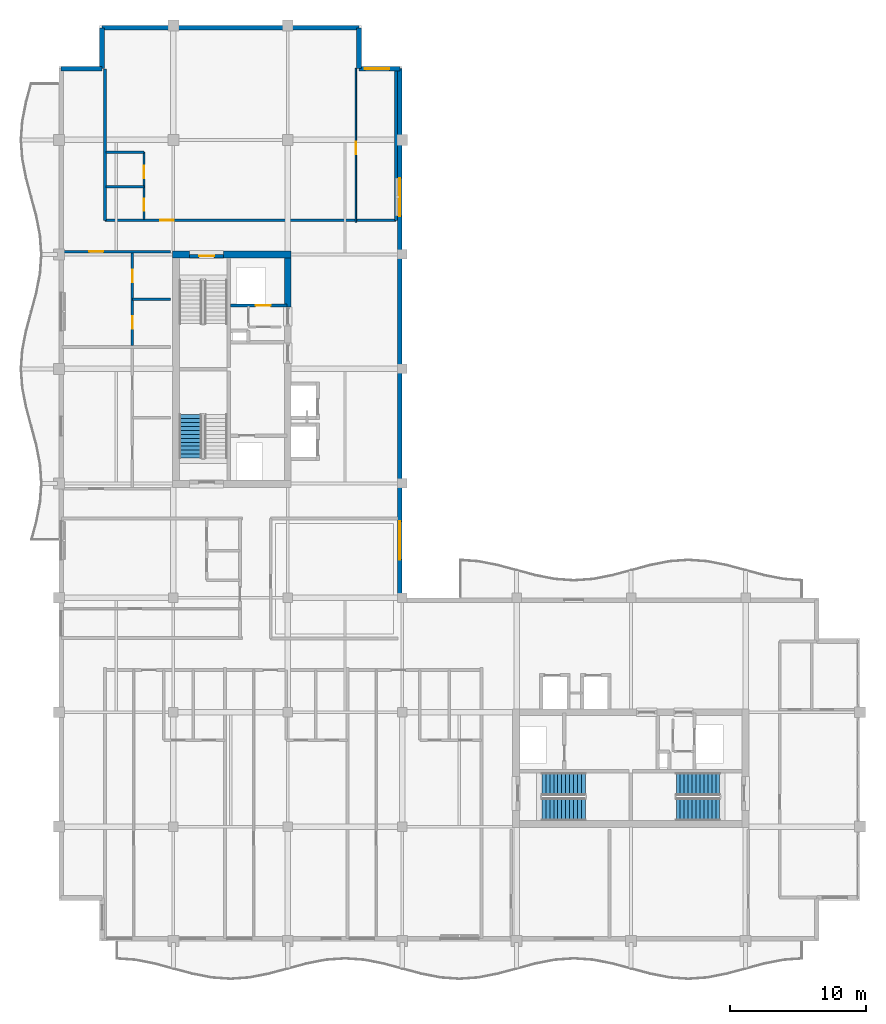
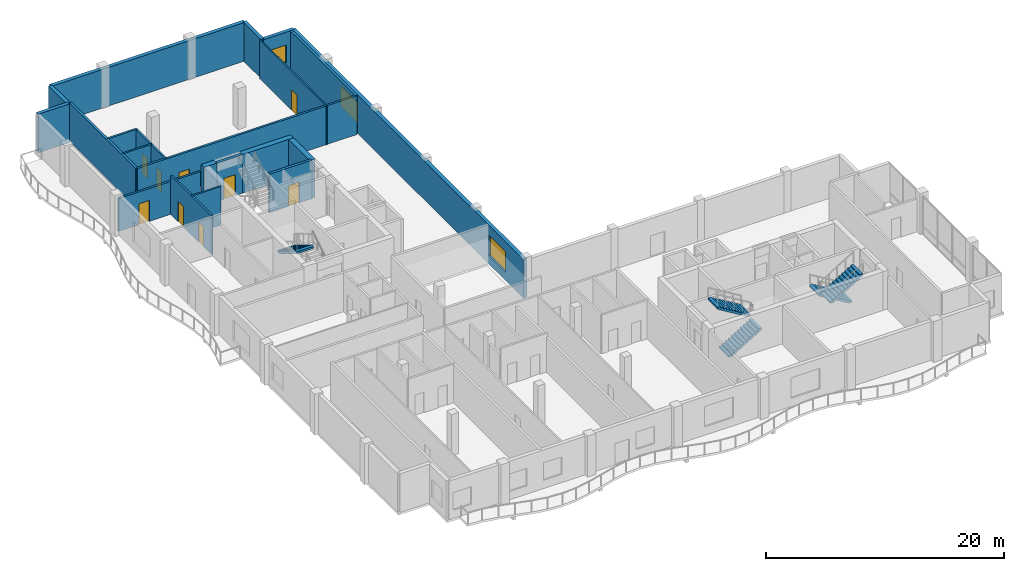
# One storey, part 11 of 16: 21 walls, 9 doors, 5 stair flights, 3 windows, 12 openings, 3 elements without a shape of their own.
"""IFC4 building model written with IfcOpenShell, lengths in metres."""

from ifc_helpers import new_model, si_unit, direction, frame, frame_2d, origin, place, context, subcontext, project, spatial, polyline, rectangle, outline, extrude, material, layer, layer_set, type_object, element, fill, aggregate, save


model = new_model("IFC4")

# Units and contexts
model_context = context("Model", 3, precision=1e-05, world=origin(), true_north=direction((0.0, 1.0)))
body_context = subcontext(model_context, "Body", "Model", "MODEL_VIEW")
ifc_project = project(units=[si_unit("LENGTHUNIT", "METRE"), si_unit("AREAUNIT", "SQUARE_METRE"), si_unit("VOLUMEUNIT", "CUBIC_METRE"), si_unit("PLANEANGLEUNIT", "RADIAN"), si_unit("MASSUNIT", "GRAM", prefix="KILO")], contexts=[model_context])

# Site, building, storey
site_placement = place(None, origin())
site = spatial("IfcSite", under=ifc_project, at=site_placement, CompositionType="ELEMENT")
building_placement = place(site_placement, origin())
building = spatial("IfcBuilding", under=site, at=building_placement, Name="Koriwani Terraces Tower", CompositionType="ELEMENT")
storey_placement = place(building_placement, frame((0.0, 0.0, 355.39990234375)))
storey = spatial("IfcBuildingStorey", under=building, at=storey_placement, Name="L88", CompositionType="ELEMENT", Elevation=355.39990234375)

# Walls
ifc_material_1 = material(Name="Concrete C50/60", Category="concrete")
ifc_layer_1 = layer(ifc_material_1, 0.5, Name="Concrete C50/60")
ifc_layer_set_1 = layer_set([ifc_layer_1], Name="Concrete C50/60")
wall_type_1 = type_object("IfcWallType", Name="WALL_CORE_RC_500", PredefinedType="SHEAR", material=ifc_layer_set_1)
wall_1_placement = place(storey_placement, frame((16.75, 58.800048828125, 0.0), z_axis=(0.0, 0.0, 1.0), x_axis=(1.0, 0.0, 0.0)))
element("IfcWall", 1, at=wall_1_placement, inside=storey, type_object=wall_type_1, Name="L88 West Split Core Shear Wall N1", PredefinedType="SHEAR", context=body_context, shape_type="SweptSolid", body=[
    extrude(rectangle(XDim=1.25, YDim=0.5, at=frame_2d((0.625, 0.0))), origin(), (0.0, 0.0, 1.0), 3.97021484375),
])
wall_2_placement = place(storey_placement, frame((20.5, 58.800048828125, 0.0), z_axis=(0.0, 0.0, 1.0), x_axis=(1.0, 0.0, 0.0)))
element("IfcWall", 2, at=wall_2_placement, inside=storey, type_object=wall_type_1, Name="L88 West Split Core Shear Wall N2", PredefinedType="SHEAR", context=body_context, shape_type="SweptSolid", body=[
    extrude(rectangle(XDim=4.949951171875, YDim=0.5, at=frame_2d((2.47509765625, 0.0))), origin(), (0.0, 0.0, 1.0), 3.97021484375),
])
wall_3_placement = place(storey_placement, frame((25.199951171875, 54.949951171875, 0.0), z_axis=(0.0, 0.0, 1.0), x_axis=(0.0, 1.0, 0.0)))
element("IfcWall", 3, at=wall_3_placement, inside=storey, type_object=wall_type_1, Name="L88 West Split Core Shear Wall E3", PredefinedType="SHEAR", context=body_context, shape_type="SweptSolid", body=[
    extrude(rectangle(XDim=3.60009765625, YDim=0.5, at=frame_2d((1.800048828125, 0.0))), origin(), (0.0, 0.0, 1.0), 3.97021484375),
])

# Wall, opening, door
ifc_material_2 = material(Name="Autoclaved Cellular Concrete Blockwork", Category="masonry")
ifc_layer_2 = layer(ifc_material_2, 0.199951171875, Name="Autoclaved Cellular Concrete Blockwork")
ifc_layer_set_2 = layer_set([ifc_layer_2], Name="Autoclaved Cellular Concrete Blockwork")
wall_type_2 = type_object("IfcWallType", Name="WALL_CORRIDOR_200", PredefinedType="PARTITIONING", material=ifc_layer_set_2)
wall_4_placement = place(storey_placement, frame((8.64990234375, 59.0, 0.0), z_axis=(0.0, 0.0, 1.0), x_axis=(1.0, 0.0, 0.0)))
wall_4 = element("IfcWall", 4, at=wall_4_placement, inside=storey, type_object=wall_type_2, Name="L88 Interior Wall WRZ4-WN-L88", PredefinedType="PARTITIONING", context=body_context, shape_type="SweptSolid", body=[
    extrude(rectangle(XDim=7.9501953125, YDim=0.199951171875, at=frame_2d((3.97509765625, 0.0))), origin(), (0.0, 0.0, 1.0), 3.3701171875),
])
opening_1_placement = place(wall_4_placement, frame((2.0, 0.0, 0.0)))
opening_1 = element("IfcOpeningElement", 5, at=opening_1_placement, cuts=wall_4, Name="Opening D-05", PredefinedType="OPENING", context=body_context, shape_type="SweptSolid", body=[
    extrude(rectangle(XDim=1.0, YDim=2.14990234375, at=frame_2d((0.5, 1.074951171875))), frame((0.0, 0.10986328125, 0.0), z_axis=(0.0, -1.0, 0.0), x_axis=(1.0, 0.0, 0.0)), (0.0, 0.0, 1.0), 0.219970703125),
])
ifc_material_3 = material(Name="Architectural Oak Fire Door", Category="wood")
door_type_1 = type_object("IfcDoorType", Name="DOOR_SUITE_ENTRY_1000X2150", OperationType="NOTDEFINED", PredefinedType="DOOR", material=ifc_material_3)
door_1_placement = place(opening_1_placement, origin())
door_1 = element("IfcDoor", 6, at=door_1_placement, inside=storey, type_object=door_type_1, Name="Apartment 88RW2 Entrance Door", OperationType="SINGLE_SWING_RIGHT", OverallHeight=2.14990234375, OverallWidth=1.0, PredefinedType="DOOR", context=body_context, shape_type="SweptSolid", body=[
    extrude(rectangle(XDim=1.0, YDim=2.14990234375, at=frame_2d((0.5, 1.074951171875))), frame((0.0, 0.02490234375, 0.0), z_axis=(0.0, -1.0, 0.0), x_axis=(1.0, 0.0, 0.0)), (0.0, 0.0, 1.0), 0.050048828125),
])
fill(opening_1, door_1)

wall_5_placement = place(storey_placement, frame((11.800048828125, 61.300048828125, 0.0), z_axis=(0.0, 0.0, 1.0), x_axis=(1.0, 0.0, 0.0)))
wall_5 = element("IfcWall", 7, at=wall_5_placement, inside=storey, type_object=wall_type_2, Name="L88 Interior Wall WGB-L88-NT-S", PredefinedType="PARTITIONING", context=body_context, shape_type="SweptSolid", body=[
    extrude(rectangle(XDim=21.349853515625, YDim=0.199951171875, at=frame_2d((10.6748046875, 0.0))), origin(), (0.0, 0.0, 1.0), 3.97021484375),
])
opening_2_placement = place(wall_5_placement, frame((4.050048828125, 0.0, 0.0)))
opening_2 = element("IfcOpeningElement", 8, at=opening_2_placement, cuts=wall_5, Name="Opening D-05", PredefinedType="OPENING", context=body_context, shape_type="SweptSolid", body=[
    extrude(rectangle(XDim=1.0, YDim=2.14990234375, at=frame_2d((0.5, 1.074951171875))), frame((0.0, 0.10986328125, 0.0), z_axis=(0.0, -1.0, 0.0), x_axis=(1.0, 0.0, 0.0)), (0.0, 0.0, 1.0), 0.219970703125),
])
door_2_placement = place(opening_2_placement, origin())
door_2 = element("IfcDoor", 9, at=door_2_placement, inside=storey, type_object=door_type_1, Name="Penthouse 88NT Entrance Door", OperationType="SINGLE_SWING_LEFT", OverallHeight=2.14990234375, OverallWidth=1.0, PredefinedType="DOOR", context=body_context, shape_type="SweptSolid", body=[
    extrude(rectangle(XDim=1.0, YDim=2.14990234375, at=frame_2d((0.5, 1.074951171875))), frame((0.0, 0.02490234375, 0.0), z_axis=(0.0, -1.0, 0.0), x_axis=(1.0, 0.0, 0.0)), (0.0, 0.0, 1.0), 0.050048828125),
])
fill(opening_2, door_2)

# Walls
ifc_layer_3 = layer(ifc_material_2, 0.219970703125, Name="Autoclaved Cellular Concrete Blockwork")
ifc_layer_set_3 = layer_set([ifc_layer_3], Name="Autoclaved Cellular Concrete Blockwork")
wall_type_3 = type_object("IfcWallType", Name="WALL_DEMISING_220", PredefinedType="PARTITIONING", material=ifc_layer_set_3)
for number, where, z_axis, x_axis, name in (
    (10, (33.14990234375, 61.300048828125, 0.0), (0.0, 0.0, 1.0), (0.0, 1.0, 0.0), "L88 Interior Wall WGB-L88-NT-E"),
    (11, (11.800048828125, 61.300048828125, 0.0), (0.0, 0.0, 1.0), (0.0, 1.0, 0.0), "L88 Interior Wall WGB-L88-NT-W"),
):
    element("IfcWall", number, at=place(storey_placement, frame(where, z_axis=z_axis, x_axis=x_axis)), inside=storey, type_object=wall_type_3, Name=name, PredefinedType="PARTITIONING", context=body_context, shape_type="SweptSolid", body=[
        extrude(rectangle(XDim=11.099853515625, YDim=0.219970703125, at=frame_2d((5.5498046875, 0.0))), origin(), (0.0, 0.0, 1.0), 3.97021484375),
    ])
ifc_layer_4 = layer(ifc_material_1, 0.35009765625, Name="Concrete C50/60")
ifc_layer_set_4 = layer_set([ifc_layer_4], Name="Concrete C50/60")
wall_type_4 = type_object("IfcWallType", Name="WALL_EXT_BRUTALIST_350", PredefinedType="STANDARD", material=ifc_layer_set_4)
for number, where, z_axis, x_axis, name in (
    (12, (8.574951171875, 72.425048828125, 0.0), (0.0, 0.0, 1.0), (1.0, 0.0, 0.0), "L88 Fair-Faced Brutalist Exterior Wall (N3)"),
    (13, (11.574951171875, 72.425048828125, 0.0), (0.0, 0.0, 1.0), (0.0, 1.0, 0.0), "L88 Fair-Faced Brutalist Exterior Wall (N4)"),
):
    element("IfcWall", number, at=place(storey_placement, frame(where, z_axis=z_axis, x_axis=x_axis)), inside=storey, type_object=wall_type_4, Name=name, PredefinedType="STANDARD", context=body_context, shape_type="SweptSolid", body=[
        extrude(rectangle(XDim=3.0, YDim=0.35009765625, at=frame_2d((1.5, 0.0))), origin(), (0.0, 0.0, 1.0), 3.97021484375),
    ])
wall_6_placement = place(storey_placement, frame((11.574951171875, 75.425048828125, 0.0), z_axis=(0.0, 0.0, 1.0), x_axis=(1.0, 0.0, 0.0)))
element("IfcWall", 14, at=wall_6_placement, inside=storey, type_object=wall_type_4, Name="L88 Fair-Faced Brutalist Exterior Wall (N_TIP)", PredefinedType="STANDARD", context=body_context, shape_type="SweptSolid", body=[
    extrude(rectangle(XDim=18.85009765625, YDim=0.35009765625, at=frame_2d((9.425048828125, 0.0))), origin(), (0.0, 0.0, 1.0), 3.97021484375),
])
wall_7_placement = place(storey_placement, frame((30.425048828125, 75.425048828125, 0.0), z_axis=(0.0, 0.0, 1.0), x_axis=(0.0, -1.0, 0.0)))
element("IfcWall", 15, at=wall_7_placement, inside=storey, type_object=wall_type_4, Name="L88 Fair-Faced Brutalist Exterior Wall (N6)", PredefinedType="STANDARD", context=body_context, shape_type="SweptSolid", body=[
    extrude(rectangle(XDim=3.0, YDim=0.35009765625, at=frame_2d((1.5, 0.0))), origin(), (0.0, 0.0, 1.0), 3.97021484375),
])

# Wall, opening, window
wall_8_placement = place(storey_placement, frame((30.425048828125, 72.425048828125, 0.0), z_axis=(0.0, 0.0, 1.0), x_axis=(1.0, 0.0, 0.0)))
wall_8 = element("IfcWall", 16, at=wall_8_placement, inside=storey, type_object=wall_type_4, Name="L88 Fair-Faced Brutalist Exterior Wall (N7)", PredefinedType="STANDARD", context=body_context, shape_type="SweptSolid", body=[
    extrude(rectangle(XDim=3.0, YDim=0.35009765625, at=frame_2d((1.5, 0.0))), origin(), (0.0, 0.0, 1.0), 3.97021484375),
])
opening_3_placement = place(wall_8_placement, frame((0.4375, 0.0, 0.85009765625)))
opening_3 = element("IfcOpeningElement", 17, at=opening_3_placement, cuts=wall_8, Name="Opening W-04", PredefinedType="OPENING", context=body_context, shape_type="SweptSolid", body=[
    extrude(rectangle(XDim=1.800048828125, YDim=1.800048828125, at=frame_2d((0.89990234375, 0.89990234375))), frame((0.0, 0.18505859375, 0.0), z_axis=(0.0, -1.0, 0.0), x_axis=(1.0, 0.0, 0.0)), (0.0, 0.0, 1.0), 0.3701171875),
])
ifc_material_4 = material(Name="Tempered Laminated Low-E Glass", Category="glass")
window_type_1 = type_object("IfcWindowType", Name="WIN_RES_BED_1800X1800", PartitioningType="DOUBLE_PANEL_VERTICAL", PredefinedType="WINDOW", material=ifc_material_4)
window_1_placement = place(opening_3_placement, origin())
window_1 = element("IfcWindow", 18, at=window_1_placement, inside=storey, type_object=window_type_1, Name="L88 Exterior Window (N7-R50)", OverallHeight=1.800048828125, OverallWidth=1.800048828125, PartitioningType="SINGLE_PANEL", PredefinedType="WINDOW", context=body_context, shape_type="SweptSolid", body=[
    extrude(rectangle(XDim=1.800048828125, YDim=1.800048828125, at=frame_2d((0.89990234375, 0.89990234375))), frame((0.0, 0.030029296875, 0.0), z_axis=(0.0, -1.0, 0.0), x_axis=(1.0, 0.0, 0.0)), (0.0, 0.0, 1.0), 0.06005859375),
])
fill(opening_3, window_1)

# Wall, openings, windows
wall_9_placement = place(storey_placement, frame((33.425048828125, 72.425048828125, 0.0), z_axis=(0.0, 0.0, 1.0), x_axis=(0.0, -1.0, 0.0)))
wall_9 = element("IfcWall", 19, at=wall_9_placement, inside=storey, type_object=wall_type_4, Name="L88 Fair-Faced Brutalist Exterior Wall (NW_IN)", PredefinedType="STANDARD", context=body_context, shape_type="SweptSolid", body=[
    extrude(rectangle(XDim=39.0, YDim=0.35009765625, at=frame_2d((19.5, 0.0))), origin(), (0.0, 0.0, 1.0), 3.97021484375),
])
opening_4_placement = place(wall_9_placement, frame((33.22509765625, 0.0, 0.85009765625)))
opening_4 = element("IfcOpeningElement", 20, at=opening_4_placement, cuts=wall_9, Name="Opening W-05", PredefinedType="OPENING", context=body_context, shape_type="SweptSolid", body=[
    extrude(rectangle(XDim=2.800048828125, YDim=2.10009765625, at=frame_2d((1.39990234375, 1.050048828125))), frame((0.0, 0.18505859375, 0.0), z_axis=(0.0, -1.0, 0.0), x_axis=(1.0, 0.0, 0.0)), (0.0, 0.0, 1.0), 0.3701171875),
])
opening_5_placement = place(wall_9_placement, frame((8.02490234375, 0.0, 0.85009765625)))
opening_5 = element("IfcOpeningElement", 21, at=opening_5_placement, cuts=wall_9, Name="Opening W-05", PredefinedType="OPENING", context=body_context, shape_type="SweptSolid", body=[
    extrude(rectangle(XDim=2.800048828125, YDim=2.10009765625, at=frame_2d((1.39990234375, 1.050048828125))), frame((0.0, 0.18505859375, 0.0), z_axis=(0.0, -1.0, 0.0), x_axis=(1.0, 0.0, 0.0)), (0.0, 0.0, 1.0), 0.3701171875),
])
window_type_2 = type_object("IfcWindowType", Name="WIN_PENTHOUSE_2800X2100", PartitioningType="TRIPLE_PANEL_VERTICAL", PredefinedType="WINDOW", material=ifc_material_4)
window_2_placement = place(opening_4_placement, origin())
window_2 = element("IfcWindow", 22, at=window_2_placement, inside=storey, type_object=window_type_2, Name="L88 Exterior Window (NW_IN-2)", OverallHeight=2.10009765625, OverallWidth=2.800048828125, PartitioningType="SINGLE_PANEL", PredefinedType="WINDOW", context=body_context, shape_type="SweptSolid", body=[
    extrude(rectangle(XDim=2.800048828125, YDim=2.10009765625, at=frame_2d((1.39990234375, 1.050048828125))), frame((0.0, 0.030029296875, 0.0), z_axis=(0.0, -1.0, 0.0), x_axis=(1.0, 0.0, 0.0)), (0.0, 0.0, 1.0), 0.06005859375),
])
fill(opening_4, window_2)
window_3_placement = place(opening_5_placement, origin())
window_3 = element("IfcWindow", 23, at=window_3_placement, inside=storey, type_object=window_type_2, Name="L88 Exterior Window (NW_IN-11)", OverallHeight=2.10009765625, OverallWidth=2.800048828125, PartitioningType="SINGLE_PANEL", PredefinedType="WINDOW", context=body_context, shape_type="SweptSolid", body=[
    extrude(rectangle(XDim=2.800048828125, YDim=2.10009765625, at=frame_2d((1.39990234375, 1.050048828125))), frame((0.0, 0.030029296875, 0.0), z_axis=(0.0, -1.0, 0.0), x_axis=(1.0, 0.0, 0.0)), (0.0, 0.0, 1.0), 0.06005859375),
])
fill(opening_5, window_3)

# Wall, opening, door
ifc_material_5 = material(Name="Fire-Rated Acoustic Gypsum Partition", Category="masonry")
ifc_layer_5 = layer(ifc_material_5, 0.125, Name="Fire-Rated Acoustic Gypsum Partition")
ifc_layer_set_5 = layer_set([ifc_layer_5], Name="Fire-Rated Acoustic Gypsum Partition")
wall_type_5 = type_object("IfcWallType", Name="WALL_INT_125", PredefinedType="PARTITIONING", material=ifc_layer_set_5)
wall_10_placement = place(storey_placement, frame((30.199951171875, 61.14990234375, 0.0), z_axis=(0.0, 0.0, 1.0), x_axis=(0.0, 1.0, 0.0)))
wall_10 = element("IfcWall", 24, at=wall_10_placement, inside=storey, type_object=wall_type_5, Name="L88 Interior Wall WGB-L88-NT-BD", PredefinedType="PARTITIONING", context=body_context, shape_type="SweptSolid", body=[
    extrude(rectangle(XDim=11.300048828125, YDim=0.125, at=frame_2d((5.64990234375, 0.0))), origin(), (0.0, 0.0, 1.0), 3.97021484375),
])
opening_6_placement = place(wall_10_placement, frame((4.9951171875, 0.0, 0.0)))
opening_6 = element("IfcOpeningElement", 25, at=opening_6_placement, cuts=wall_10, Name="Opening D-06", PredefinedType="OPENING", context=body_context, shape_type="SweptSolid", body=[
    extrude(rectangle(XDim=0.919921875, YDim=2.10009765625, at=frame_2d((0.4599609375, 1.050048828125))), frame((0.0, 0.072509765625, 0.0), z_axis=(0.0, -1.0, 0.0), x_axis=(1.0, 0.0, 0.0)), (0.0, 0.0, 1.0), 0.14501953125),
])
door_type_2 = type_object("IfcDoorType", Name="DOOR_ROOM_INT_920X2100", OperationType="NOTDEFINED", PredefinedType="DOOR", material=ifc_material_3)
door_3_placement = place(opening_6_placement, origin())
door_3 = element("IfcDoor", 26, at=door_3_placement, inside=storey, type_object=door_type_2, Name="Penthouse 88NT Master Suite Door", OperationType="SINGLE_SWING_RIGHT", OverallHeight=2.10009765625, OverallWidth=0.919921875, PredefinedType="DOOR", context=body_context, shape_type="SweptSolid", body=[
    extrude(rectangle(XDim=0.919921875, YDim=2.10009765625, at=frame_2d((0.4599609375, 1.050048828125))), frame((0.0, 0.02490234375, 0.0), z_axis=(0.0, -1.0, 0.0), x_axis=(1.0, 0.0, 0.0)), (0.0, 0.0, 1.0), 0.050048828125),
])
fill(opening_6, door_3)

# Wall, openings, doors
ifc_layer_6 = layer(ifc_material_5, 0.179931640625, Name="Fire-Rated Acoustic Gypsum Partition")
ifc_layer_set_6 = layer_set([ifc_layer_6], Name="Fire-Rated Acoustic Gypsum Partition")
wall_type_6 = type_object("IfcWallType", Name="WALL_PLUMBING_180", PredefinedType="PLUMBINGWALL", material=ifc_layer_set_6)
wall_11_placement = place(storey_placement, frame((13.800048828125, 52.10009765625, 0.0), z_axis=(0.0, 0.0, 1.0), x_axis=(0.0, 1.0, 0.0)))
wall_11 = element("IfcWall", 27, at=wall_11_placement, inside=storey, type_object=wall_type_6, Name="L88 Interior Wall WRZ4-RW2-PB-L88", PredefinedType="PLUMBINGWALL", context=body_context, shape_type="SweptSolid", body=[
    extrude(rectangle(XDim=6.7998046875, YDim=0.179931640625, at=frame_2d((3.39990234375, 0.0))), origin(), (0.0, 0.0, 1.0), 3.97021484375),
])
opening_7_placement = place(wall_11_placement, frame((1.25, 0.0, 0.0)))
opening_7 = element("IfcOpeningElement", 28, at=opening_7_placement, cuts=wall_11, Name="Opening D-07", PredefinedType="OPENING", context=body_context, shape_type="SweptSolid", body=[
    extrude(rectangle(XDim=0.89990234375, YDim=2.10009765625, at=frame_2d((0.449951171875, 1.050048828125))), frame((0.0, 0.10009765625, 0.0), z_axis=(0.0, -1.0, 0.0), x_axis=(1.0, 0.0, 0.0)), (0.0, 0.0, 1.0), 0.199951171875),
])
opening_8_placement = place(wall_11_placement, frame((4.639892578125, 0.0, 0.0)))
opening_8 = element("IfcOpeningElement", 29, at=opening_8_placement, cuts=wall_11, Name="Opening D-06", PredefinedType="OPENING", context=body_context, shape_type="SweptSolid", body=[
    extrude(rectangle(XDim=0.919921875, YDim=2.10009765625, at=frame_2d((0.4599609375, 1.050048828125))), frame((0.0, 0.10009765625, 0.0), z_axis=(0.0, -1.0, 0.0), x_axis=(1.0, 0.0, 0.0)), (0.0, 0.0, 1.0), 0.199951171875),
])
door_type_3 = type_object("IfcDoorType", Name="DOOR_BATH_INT_900X2100", OperationType="NOTDEFINED", PredefinedType="DOOR", material=ifc_material_3)
door_4_placement = place(opening_7_placement, origin())
door_4 = element("IfcDoor", 30, at=door_4_placement, inside=storey, type_object=door_type_3, Name="Apartment 88RW2 Bathroom Door", OperationType="SINGLE_SWING_LEFT", OverallHeight=2.10009765625, OverallWidth=0.89990234375, PredefinedType="DOOR", context=body_context, shape_type="SweptSolid", body=[
    extrude(rectangle(XDim=0.89990234375, YDim=2.10009765625, at=frame_2d((0.449951171875, 1.050048828125))), frame((0.0, 0.02490234375, 0.0), z_axis=(0.0, -1.0, 0.0), x_axis=(1.0, 0.0, 0.0)), (0.0, 0.0, 1.0), 0.050048828125),
])
fill(opening_7, door_4)
door_5_placement = place(opening_8_placement, origin())
door_5 = element("IfcDoor", 31, at=door_5_placement, inside=storey, type_object=door_type_2, Name="Apartment 88RW2 Kitchen Door", OperationType="SINGLE_SWING_RIGHT", OverallHeight=2.10009765625, OverallWidth=0.919921875, PredefinedType="DOOR", context=body_context, shape_type="SweptSolid", body=[
    extrude(rectangle(XDim=0.919921875, YDim=2.10009765625, at=frame_2d((0.4599609375, 1.050048828125))), frame((0.0, 0.02490234375, 0.0), z_axis=(0.0, -1.0, 0.0), x_axis=(1.0, 0.0, 0.0)), (0.0, 0.0, 1.0), 0.050048828125),
])
fill(opening_8, door_5)

# Wall
wall_12_placement = place(storey_placement, frame((13.800048828125, 55.5, 0.0), z_axis=(0.0, 0.0, 1.0), x_axis=(1.0, 0.0, 0.0)))
element("IfcWall", 32, at=wall_12_placement, inside=storey, type_object=wall_type_6, Name="L88 Interior Wall WRZ4-RW2-P2-L88", PredefinedType="PLUMBINGWALL", context=body_context, shape_type="SweptSolid", body=[
    extrude(rectangle(XDim=2.800048828125, YDim=0.179931640625, at=frame_2d((1.39990234375, 0.0))), origin(), (0.0, 0.0, 1.0), 3.97021484375),
])

# Wall, openings, doors
wall_13_placement = place(storey_placement, frame((14.64990234375, 61.35009765625, 0.0), z_axis=(0.0, 0.0, 1.0), x_axis=(0.0, 1.0, 0.0)))
wall_13 = element("IfcWall", 33, at=wall_13_placement, inside=storey, type_object=wall_type_6, Name="L88 Interior Wall WGB-L88-NT-SVB", PredefinedType="PLUMBINGWALL", context=body_context, shape_type="SweptSolid", body=[
    extrude(rectangle(XDim=4.949951171875, YDim=0.179931640625, at=frame_2d((2.47509765625, 0.0))), origin(), (0.0, 0.0, 1.0), 3.97021484375),
])
opening_9_placement = place(wall_13_placement, frame((0.64990234375, 0.0, 0.0)))
opening_9 = element("IfcOpeningElement", 34, at=opening_9_placement, cuts=wall_13, Name="Opening D-07", PredefinedType="OPENING", context=body_context, shape_type="SweptSolid", body=[
    extrude(rectangle(XDim=0.89990234375, YDim=2.10009765625, at=frame_2d((0.449951171875, 1.050048828125))), frame((0.0, 0.10009765625, 0.0), z_axis=(0.0, -1.0, 0.0), x_axis=(1.0, 0.0, 0.0)), (0.0, 0.0, 1.0), 0.199951171875),
])
opening_10_placement = place(wall_13_placement, frame((3.050048828125, 0.0, 0.0)))
opening_10 = element("IfcOpeningElement", 35, at=opening_10_placement, cuts=wall_13, Name="Opening D-06", PredefinedType="OPENING", context=body_context, shape_type="SweptSolid", body=[
    extrude(rectangle(XDim=0.919921875, YDim=2.10009765625, at=frame_2d((0.4599609375, 1.050048828125))), frame((0.0, 0.10009765625, 0.0), z_axis=(0.0, -1.0, 0.0), x_axis=(1.0, 0.0, 0.0)), (0.0, 0.0, 1.0), 0.199951171875),
])
door_6_placement = place(opening_9_placement, origin())
door_6 = element("IfcDoor", 36, at=door_6_placement, inside=storey, type_object=door_type_3, Name="Penthouse 88NT Bathroom Door", OperationType="SINGLE_SWING_RIGHT", OverallHeight=2.10009765625, OverallWidth=0.89990234375, PredefinedType="DOOR", context=body_context, shape_type="SweptSolid", body=[
    extrude(rectangle(XDim=0.89990234375, YDim=2.10009765625, at=frame_2d((0.449951171875, 1.050048828125))), frame((0.0, 0.02490234375, 0.0), z_axis=(0.0, -1.0, 0.0), x_axis=(1.0, 0.0, 0.0)), (0.0, 0.0, 1.0), 0.050048828125),
])
fill(opening_9, door_6)
door_7_placement = place(opening_10_placement, origin())
door_7 = element("IfcDoor", 37, at=door_7_placement, inside=storey, type_object=door_type_2, Name="Penthouse 88NT Kitchen Door", OperationType="SINGLE_SWING_LEFT", OverallHeight=2.10009765625, OverallWidth=0.919921875, PredefinedType="DOOR", context=body_context, shape_type="SweptSolid", body=[
    extrude(rectangle(XDim=0.919921875, YDim=2.10009765625, at=frame_2d((0.4599609375, 1.050048828125))), frame((0.0, 0.02490234375, 0.0), z_axis=(0.0, -1.0, 0.0), x_axis=(1.0, 0.0, 0.0)), (0.0, 0.0, 1.0), 0.050048828125),
])
fill(opening_10, door_7)

# Walls
for number, where, z_axis, x_axis, name in (
    (38, (11.85009765625, 63.75, 0.0), (0.0, 0.0, 1.0), (1.0, 0.0, 0.0), "L88 Interior Wall WGB-L88-NT-SVM"),
    (39, (11.85009765625, 66.300048828125, 0.0), (0.0, 0.0, 1.0), (1.0, 0.0, 0.0), "L88 Interior Wall WGB-L88-NT-SV2"),
):
    element("IfcWall", number, at=place(storey_placement, frame(where, z_axis=z_axis, x_axis=x_axis)), inside=storey, type_object=wall_type_6, Name=name, PredefinedType="PLUMBINGWALL", context=body_context, shape_type="SweptSolid", body=[
        extrude(rectangle(XDim=2.7998046875, YDim=0.179931640625, at=frame_2d((1.39990234375, 0.0))), origin(), (0.0, 0.0, 1.0), 3.97021484375),
    ])

# Wall, opening, door
ifc_material_6 = material(Name="Concrete C40/50", Category="concrete")
ifc_layer_7 = layer(ifc_material_6, 0.25, Name="Concrete C40/50")
ifc_layer_set_7 = layer_set([ifc_layer_7], Name="Concrete C40/50")
wall_type_7 = type_object("IfcWallType", Name="WALL_SHAFT_RATED_250", PredefinedType="SOLIDWALL", material=ifc_layer_set_7)
wall_14_placement = place(storey_placement, frame((18.0, 58.675048828125, 0.0), z_axis=(0.0, 0.0, 1.0), x_axis=(1.0, 0.0, 0.0)))
wall_14 = element("IfcWall", 40, at=wall_14_placement, inside=storey, type_object=wall_type_7, Name="L88 Interior Wall WIN-CW-L88-STN", PredefinedType="SOLIDWALL", context=body_context, shape_type="SweptSolid", body=[
    extrude(rectangle(XDim=2.5, YDim=0.25, at=frame_2d((1.25, 0.0))), origin(), (0.0, 0.0, 1.0), 3.97021484375),
])
opening_11_placement = place(wall_14_placement, frame((0.699951171875, 0.0, 0.0)))
opening_11 = element("IfcOpeningElement", 41, at=opening_11_placement, cuts=wall_14, Name="Opening D-03", PredefinedType="OPENING", context=body_context, shape_type="SweptSolid", body=[
    extrude(rectangle(XDim=1.10009765625, YDim=2.14990234375, at=frame_2d((0.550048828125, 1.074951171875))), frame((0.0, 0.135009765625, 0.0), z_axis=(0.0, -1.0, 0.0), x_axis=(1.0, 0.0, 0.0)), (0.0, 0.0, 1.0), 0.27001953125),
])
ifc_material_7 = material(Name="Steel ASTM A572 Grade 50", Category="steel")
door_type_4 = type_object("IfcDoorType", Name="DOOR_STAIR_FIRE_1100X2150", OperationType="NOTDEFINED", PredefinedType="DOOR", material=ifc_material_7)
door_8_placement = place(opening_11_placement, origin())
door_8 = element("IfcDoor", 42, at=door_8_placement, inside=storey, type_object=door_type_4, Name="L88 Exit Stair ST-W2 Door", OperationType="SINGLE_SWING_LEFT", OverallHeight=2.14990234375, OverallWidth=1.10009765625, PredefinedType="DOOR", context=body_context, shape_type="SweptSolid", body=[
    extrude(rectangle(XDim=1.10009765625, YDim=2.14990234375, at=frame_2d((0.550048828125, 1.074951171875))), frame((0.0, 0.02490234375, 0.0), z_axis=(0.0, -1.0, 0.0), x_axis=(1.0, 0.0, 0.0)), (0.0, 0.0, 1.0), 0.050048828125),
])
fill(opening_11, door_8)

wall_15_placement = place(storey_placement, frame((21.0, 55.050048828125, 0.0), z_axis=(0.0, 0.0, 1.0), x_axis=(1.0, 0.0, 0.0)))
wall_15 = element("IfcWall", 43, at=wall_15_placement, inside=storey, type_object=wall_type_7, Name="L88 Interior Wall WIN-CW-L88-SE", PredefinedType="SOLIDWALL", context=body_context, shape_type="SweptSolid", body=[
    extrude(rectangle(XDim=4.14990234375, YDim=0.25, at=frame_2d((2.074951171875, 0.0))), origin(), (0.0, 0.0, 1.0), 3.97021484375),
])
opening_12_placement = place(wall_15_placement, frame((1.85009765625, 0.0, 0.0)))
opening_12 = element("IfcOpeningElement", 44, at=opening_12_placement, cuts=wall_15, Name="Opening LD-01", PredefinedType="OPENING", context=body_context, shape_type="SweptSolid", body=[
    extrude(rectangle(XDim=1.10009765625, YDim=2.14990234375, at=frame_2d((0.550048828125, 1.074951171875))), frame((0.0, 0.135009765625, 0.0), z_axis=(0.0, -1.0, 0.0), x_axis=(1.0, 0.0, 0.0)), (0.0, 0.0, 1.0), 0.27001953125),
])
door_type_5 = type_object("IfcDoorType", Name="DOOR_LIFT_LANDING_1100X2200", OperationType="NOTDEFINED", PredefinedType="DOOR", material=ifc_material_7)
door_9_placement = place(opening_12_placement, origin())
door_9 = element("IfcDoor", 45, at=door_9_placement, inside=storey, type_object=door_type_5, Name="L88 Goods Lift SE-01 Landing Door", OperationType="SLIDING_TO_LEFT", OverallHeight=2.14990234375, OverallWidth=1.10009765625, PredefinedType="DOOR", context=body_context, shape_type="SweptSolid", body=[
    extrude(rectangle(XDim=1.10009765625, YDim=2.14990234375, at=frame_2d((0.550048828125, 1.074951171875))), frame((0.0, 0.02490234375, 0.0), z_axis=(0.0, -1.0, 0.0), x_axis=(1.0, 0.0, 0.0)), (0.0, 0.0, 1.0), 0.050048828125),
])
fill(opening_12, door_9)

# Stair, stair flight
stair_type = type_object("IfcStairType", Name="STAIR_CORE_DOGLEG_1650", PredefinedType="TWO_STRAIGHT_RUN_STAIR", material=ifc_material_6)
stair_1_placement = place(storey_placement, origin())
stair_1 = element("IfcStair", 46, at=stair_1_placement, inside=storey, type_object=stair_type, Name="L88 West Core Exit Stair 1", PredefinedType="HALF_TURN_STAIR")
stair_flight_type = type_object("IfcStairFlightType", Name="STAIR_FLIGHT_RC_1650", PredefinedType="STRAIGHT", material=ifc_material_6)
stair_flight_1_placement = place(storey_placement, frame((18.074951171875, 47.0400390625, 2.10009765625), z_axis=(0.0, 0.0, 1.0), x_axis=(0.0, -1.0, 0.0)))
stair_flight_1 = element("IfcStairFlight", 47, at=stair_flight_1_placement, type_object=stair_flight_type, Name="ST-W1 flight 2", NumberOfRisers=12, NumberOfTreads=11, PredefinedType="STRAIGHT", RiserHeight=0.175, TreadLength=0.29, context=body_context, shape_type="SweptSolid", body=[
    extrude(outline(polyline([(0.0, 0.0), (0.0, 0.175048828125), (0.2900390625, 0.175048828125), (0.2900390625, 0.35009765625), (0.580078125, 0.35009765625), (0.580078125, 0.52490234375), (0.8701171875, 0.52490234375), (0.8701171875, 0.699951171875), (1.159912109375, 0.699951171875), (1.159912109375, 0.875), (1.449951171875, 0.875), (1.449951171875, 1.050048828125), (1.739990234375, 1.050048828125), (1.739990234375, 1.22509765625), (2.030029296875, 1.22509765625), (2.030029296875, 1.39990234375), (2.320068359375, 1.39990234375), (2.320068359375, 1.574951171875), (2.610107421875, 1.574951171875), (2.610107421875, 1.75), (2.89990234375, 1.75), (2.89990234375, 1.925048828125), (3.18994140625, 1.925048828125), (3.18994140625, 2.10009765625), (3.18994140625, 1.71484375), (0.34814453125, 0.0), (0.0, 0.0)])), frame((0.0, 0.824951171875, 0.0), z_axis=(0.0, -1.0, 0.0), x_axis=(1.0, 0.0, 0.0)), (0.0, 0.0, 1.0), 1.64990234375),
])
aggregate(stair_1, [stair_flight_1])

# Stair, stair flights
stair_2_placement = place(storey_placement, origin())
stair_2 = element("IfcStair", 48, at=stair_2_placement, inside=storey, type_object=stair_type, Name="L88 East Core Exit Stair 1", PredefinedType="HALF_TURN_STAIR")
stair_flight_2_placement = place(storey_placement, frame((43.85009765625, 18.074951171875, 0.0), z_axis=(0.0, 0.0, 1.0), x_axis=(1.0, 0.0, 0.0)))
stair_flight_2 = element("IfcStairFlight", 49, at=stair_flight_2_placement, type_object=stair_flight_type, Name="ST-E1 flight 1", NumberOfRisers=12, NumberOfTreads=11, PredefinedType="STRAIGHT", RiserHeight=0.175, TreadLength=0.29, context=body_context, shape_type="SweptSolid", body=[
    extrude(outline(polyline([(0.0, 0.0), (0.0, 0.175048828125), (0.2900390625, 0.175048828125), (0.2900390625, 0.35009765625), (0.580078125, 0.35009765625), (0.580078125, 0.52490234375), (0.8701171875, 0.52490234375), (0.8701171875, 0.699951171875), (1.159912109375, 0.699951171875), (1.159912109375, 0.875), (1.449951171875, 0.875), (1.449951171875, 1.050048828125), (1.739990234375, 1.050048828125), (1.739990234375, 1.22509765625), (2.030029296875, 1.22509765625), (2.030029296875, 1.39990234375), (2.320068359375, 1.39990234375), (2.320068359375, 1.574951171875), (2.610107421875, 1.574951171875), (2.610107421875, 1.75), (2.89990234375, 1.75), (2.89990234375, 1.925048828125), (3.18994140625, 1.925048828125), (3.18994140625, 2.10009765625), (3.18994140625, 1.71484375), (0.34814453125, 0.0), (0.0, 0.0)])), frame((0.0, 0.824951171875, 0.0), z_axis=(0.0, -1.0, 0.0), x_axis=(1.0, 0.0, 0.0)), (0.0, 0.0, 1.0), 1.64990234375),
])
stair_flight_3_placement = place(storey_placement, frame((47.0400390625, 19.925048828125, 2.10009765625), z_axis=(0.0, 0.0, 1.0), x_axis=(-1.0, 0.0, 0.0)))
stair_flight_3 = element("IfcStairFlight", 50, at=stair_flight_3_placement, type_object=stair_flight_type, Name="ST-E1 flight 2", NumberOfRisers=12, NumberOfTreads=11, PredefinedType="STRAIGHT", RiserHeight=0.175, TreadLength=0.29, context=body_context, shape_type="SweptSolid", body=[
    extrude(outline(polyline([(0.0, 0.0), (0.0, 0.175048828125), (0.2900390625, 0.175048828125), (0.2900390625, 0.35009765625), (0.580078125, 0.35009765625), (0.580078125, 0.52490234375), (0.8701171875, 0.52490234375), (0.8701171875, 0.699951171875), (1.159912109375, 0.699951171875), (1.159912109375, 0.875), (1.449951171875, 0.875), (1.449951171875, 1.050048828125), (1.739990234375, 1.050048828125), (1.739990234375, 1.22509765625), (2.030029296875, 1.22509765625), (2.030029296875, 1.39990234375), (2.320068359375, 1.39990234375), (2.320068359375, 1.574951171875), (2.610107421875, 1.574951171875), (2.610107421875, 1.75), (2.89990234375, 1.75), (2.89990234375, 1.925048828125), (3.18994140625, 1.925048828125), (3.18994140625, 2.10009765625), (3.18994140625, 1.71484375), (0.34814453125, 0.0), (0.0, 0.0)])), frame((0.0, 0.824951171875, 0.0), z_axis=(0.0, -1.0, 0.0), x_axis=(1.0, 0.0, 0.0)), (0.0, 0.0, 1.0), 1.64990234375),
])
aggregate(stair_2, [stair_flight_2, stair_flight_3])

stair_3_placement = place(storey_placement, origin())
stair_3 = element("IfcStair", 51, at=stair_3_placement, inside=storey, type_object=stair_type, Name="L88 East Core Exit Stair 2", PredefinedType="HALF_TURN_STAIR")
stair_flight_4_placement = place(storey_placement, frame((56.89990234375, 19.925048828125, 0.0), z_axis=(0.0, 0.0, 1.0), x_axis=(-1.0, 0.0, 0.0)))
stair_flight_4 = element("IfcStairFlight", 52, at=stair_flight_4_placement, type_object=stair_flight_type, Name="ST-E2 flight 1", NumberOfRisers=12, NumberOfTreads=11, PredefinedType="STRAIGHT", RiserHeight=0.175, TreadLength=0.29, context=body_context, shape_type="SweptSolid", body=[
    extrude(outline(polyline([(0.0, 0.0), (0.0, 0.175048828125), (0.2900390625, 0.175048828125), (0.2900390625, 0.35009765625), (0.580078125, 0.35009765625), (0.580078125, 0.52490234375), (0.8701171875, 0.52490234375), (0.8701171875, 0.699951171875), (1.159912109375, 0.699951171875), (1.159912109375, 0.875), (1.449951171875, 0.875), (1.449951171875, 1.050048828125), (1.739990234375, 1.050048828125), (1.739990234375, 1.22509765625), (2.030029296875, 1.22509765625), (2.030029296875, 1.39990234375), (2.320068359375, 1.39990234375), (2.320068359375, 1.574951171875), (2.610107421875, 1.574951171875), (2.610107421875, 1.75), (2.89990234375, 1.75), (2.89990234375, 1.925048828125), (3.18994140625, 1.925048828125), (3.18994140625, 2.10009765625), (3.18994140625, 1.71484375), (0.34814453125, 0.0), (0.0, 0.0)])), frame((0.0, 0.824951171875, 0.0), z_axis=(0.0, -1.0, 0.0), x_axis=(1.0, 0.0, 0.0)), (0.0, 0.0, 1.0), 1.64990234375),
])
stair_flight_5_placement = place(storey_placement, frame((53.7099609375, 18.074951171875, 2.10009765625), z_axis=(0.0, 0.0, 1.0), x_axis=(1.0, 0.0, 0.0)))
stair_flight_5 = element("IfcStairFlight", 53, at=stair_flight_5_placement, type_object=stair_flight_type, Name="ST-E2 flight 2", NumberOfRisers=12, NumberOfTreads=11, PredefinedType="STRAIGHT", RiserHeight=0.175, TreadLength=0.29, context=body_context, shape_type="SweptSolid", body=[
    extrude(outline(polyline([(0.0, 0.0), (0.0, 0.175048828125), (0.2900390625, 0.175048828125), (0.2900390625, 0.35009765625), (0.580078125, 0.35009765625), (0.580078125, 0.52490234375), (0.8701171875, 0.52490234375), (0.8701171875, 0.699951171875), (1.159912109375, 0.699951171875), (1.159912109375, 0.875), (1.449951171875, 0.875), (1.449951171875, 1.050048828125), (1.739990234375, 1.050048828125), (1.739990234375, 1.22509765625), (2.030029296875, 1.22509765625), (2.030029296875, 1.39990234375), (2.320068359375, 1.39990234375), (2.320068359375, 1.574951171875), (2.610107421875, 1.574951171875), (2.610107421875, 1.75), (2.89990234375, 1.75), (2.89990234375, 1.925048828125), (3.18994140625, 1.925048828125), (3.18994140625, 2.10009765625), (3.18994140625, 1.71484375), (0.34814453125, 0.0), (0.0, 0.0)])), frame((0.0, 0.824951171875, 0.0), z_axis=(0.0, -1.0, 0.0), x_axis=(1.0, 0.0, 0.0)), (0.0, 0.0, 1.0), 1.64990234375),
])
aggregate(stair_3, [stair_flight_4, stair_flight_5])

save(model, "model.ifc")
